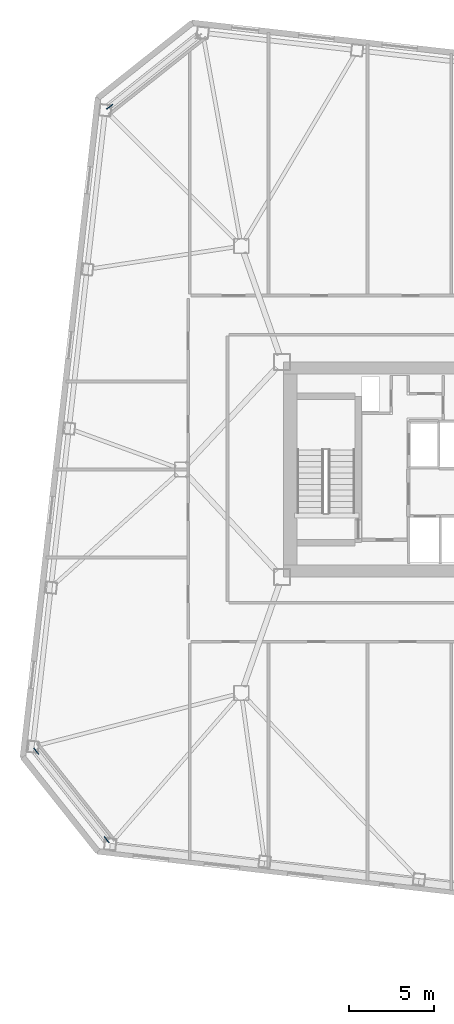
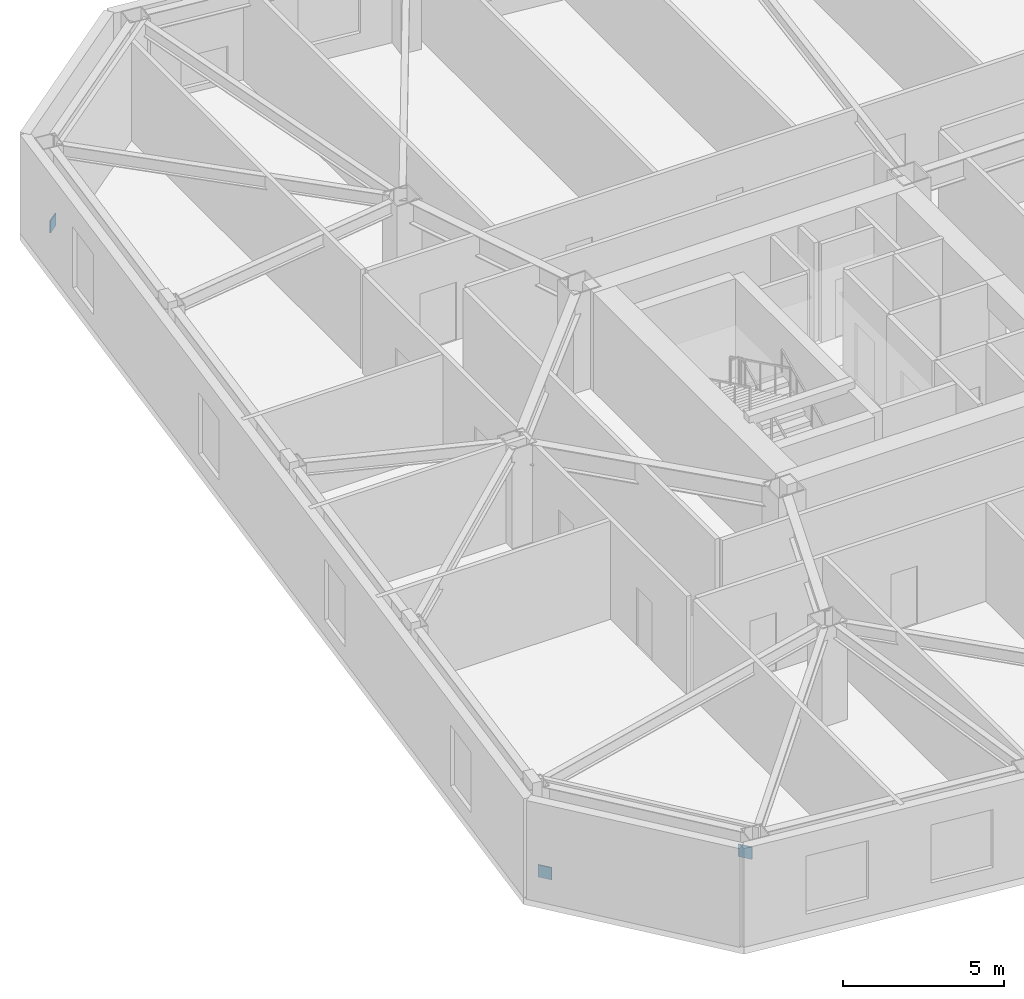
# One storey, part 17 of 21: 3 discrete accessories.
"""IFC4 building model written with IfcOpenShell, lengths in metres."""

from ifc_helpers import new_model, si_unit, direction, frame, origin, origin_2d, place, context, subcontext, project, spatial, rectangle, extrude, material, type_object, element, save


model = new_model("IFC4")

# Units and contexts
model_context = context("Model", 3, precision=1e-05, world=origin(), true_north=direction((0.0, 1.0)))
body_context = subcontext(model_context, "Body", "Model", "MODEL_VIEW")
ifc_project = project(units=[si_unit("LENGTHUNIT", "METRE"), si_unit("AREAUNIT", "SQUARE_METRE"), si_unit("VOLUMEUNIT", "CUBIC_METRE"), si_unit("PLANEANGLEUNIT", "RADIAN"), si_unit("MASSUNIT", "GRAM", prefix="KILO")], contexts=[model_context])

# Site, building, storey
site_placement = place(None, origin())
site = spatial("IfcSite", under=ifc_project, at=site_placement, CompositionType="ELEMENT")
building_placement = place(site_placement, origin())
building = spatial("IfcBuilding", under=site, at=building_placement, Name="Tavrogorsk Clinical Tower", CompositionType="ELEMENT")
storey_placement = place(building_placement, frame((0.0, 0.0, 129.39990234375)))
storey = spatial("IfcBuildingStorey", under=building, at=storey_placement, Name="L29", CompositionType="ELEMENT", Elevation=129.39990234375)

# Discrete accessories
ifc_material = material(Name="Structural steel S440", Category="steel")
discrete_accessory_type = type_object("IfcDiscreteAccessoryType", Name="GussetPlateBracket_25", PredefinedType="BRACKET", material=ifc_material)
for number, where, z_axis, x_axis, name in (
    (1, (-32.27587890625, 21.431884765625, 0.195068359375), (0.0, 0.0, 1.0), (0.782608156852, 0.622514636638, 0.0), "L29 Brace Gusset Plate EXOCRN-L29-3-A"),
    (2, (-36.613037109375, -16.63623046875, 0.195068359375), (0.0, 0.0, 1.0), (0.622514636638, -0.782608156852, 0.0), "L29 Brace Gusset Plate EXOCRN-L29-4-A"),
    (3, (-32.452880859375, -21.866455078125, 2.68505859375), (0.0, 0.0, 1.0), (0.622514636638, -0.782608156852, 0.0), "L29 Brace Gusset Plate EXOCRN-L29-4-B"),
):
    element("IfcDiscreteAccessory", number, at=place(storey_placement, frame(where, z_axis=z_axis, x_axis=x_axis)), inside=storey, type_object=discrete_accessory_type, Name=name, PredefinedType="BRACKET", context=body_context, shape_type="SweptSolid", body=[
        extrude(rectangle(XDim=0.4599609375, YDim=0.0400390625, at=origin_2d()), origin(), (0.0, 0.0, 1.0), 0.4599609375),
    ])

save(model, "model.ifc")
